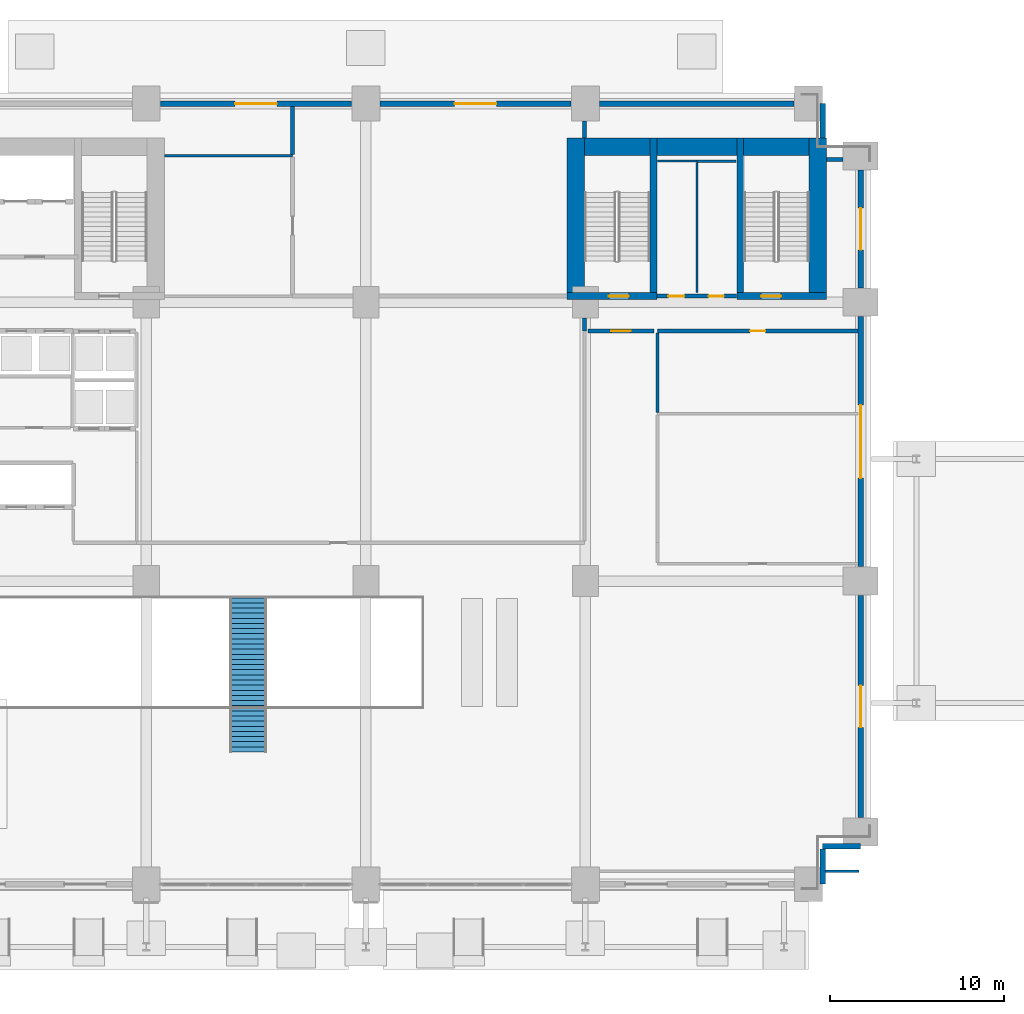
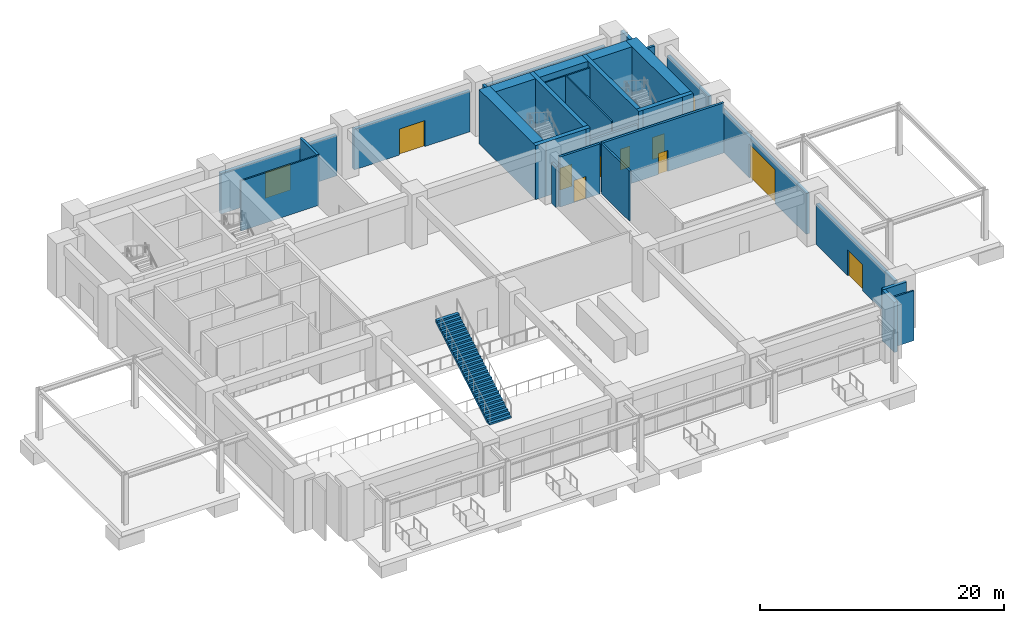
# One storey, part 7 of 14: 29 walls, 11 doors, 1 stair flight, 11 openings, 1 element without a shape of its own.
"""IFC4 building model written with IfcOpenShell, lengths in metres."""

from ifc_helpers import new_model, si_unit, direction, frame, frame_2d, origin, place, context, subcontext, project, spatial, polyline, rectangle, outline, extrude, material, layer, layer_set, type_object, element, fill, aggregate, save


model = new_model("IFC4")

# Units and contexts
model_context = context("Model", 3, precision=1e-05, world=origin(), true_north=direction((0.0, 1.0)))
body_context = subcontext(model_context, "Body", "Model", "MODEL_VIEW")
ifc_project = project(units=[si_unit("LENGTHUNIT", "METRE"), si_unit("AREAUNIT", "SQUARE_METRE"), si_unit("VOLUMEUNIT", "CUBIC_METRE"), si_unit("PLANEANGLEUNIT", "RADIAN"), si_unit("MASSUNIT", "GRAM", prefix="KILO")], contexts=[model_context])

# Site, building, storey
site_placement = place(None, origin())
site = spatial("IfcSite", under=ifc_project, at=site_placement, CompositionType="ELEMENT")
building_placement = place(site_placement, origin())
building = spatial("IfcBuilding", under=site, at=building_placement, Name="Sulina Concourse Tower", CompositionType="ELEMENT")
storey_placement = place(building_placement, origin())
storey = spatial("IfcBuildingStorey", under=building, at=storey_placement, Name="L00", CompositionType="ELEMENT", Elevation=0.0)

# Wall, opening, door
ifc_material_1 = material(Name="Gypsum board on steel stud", Category="steel")
ifc_layer_1 = layer(ifc_material_1, 0.219970703125)
ifc_layer_set_1 = layer_set([ifc_layer_1], Name="Gypsum board on steel stud")
wall_type_1 = type_object("IfcWallType", Name="Fire-Rated Lobby & Compartment Wall 220mm", PredefinedType="PARTITIONING", material=ifc_layer_set_1)
wall_1_placement = place(storey_placement, frame((41.75, 32.35009765625, 0.0), z_axis=(0.0, 0.0, 1.0), x_axis=(1.0, 0.0, 0.0)))
wall_1 = element("IfcWall", 1, at=wall_1_placement, inside=storey, type_object=wall_type_1, Name="L00 exit passage fire wall EXPE", PredefinedType="PARTITIONING", context=body_context, shape_type="SweptSolid", body=[
    extrude(rectangle(XDim=3.800048828125, YDim=0.219970703125, at=frame_2d((1.89990234375, 0.0))), origin(), (0.0, 0.0, 1.0), 5.0),
])
opening_1_placement = place(wall_1_placement, frame((1.35009765625, 0.0, 0.0)))
opening_1 = element("IfcOpeningElement", 2, at=opening_1_placement, cuts=wall_1, Name="Opening DR-47", PredefinedType="OPENING", context=body_context, shape_type="SweptSolid", body=[
    extrude(rectangle(XDim=1.10009765625, YDim=2.199951171875, at=frame_2d((0.550048828125, 1.10009765625))), frame((0.0, 0.119873046875, 0.0), z_axis=(0.0, -1.0, 0.0), x_axis=(1.0, 0.0, 0.0)), (0.0, 0.0, 1.0), 0.239990234375),
])
ifc_material_2 = material(Name="Galvanised steel acoustic fire leaf", Category="steel")
ifc_layer_2 = layer(ifc_material_2, 0.054931640625)
ifc_layer_set_2 = layer_set([ifc_layer_2], Name="Galvanised steel acoustic fire leaf")
door_type_1 = type_object("IfcDoorType", Name="Firefighting Lobby Fire Door 1100x2200", OperationType="NOTDEFINED", PredefinedType="DOOR", material=ifc_layer_set_2)
door_1_placement = place(opening_1_placement, origin())
door_1 = element("IfcDoor", 3, at=door_1_placement, inside=storey, type_object=door_type_1, Name="L00 exit passage fire door EXPE", OperationType="SINGLE_SWING_RIGHT", OverallHeight=2.199951171875, OverallWidth=1.10009765625, PredefinedType="DOOR", context=body_context, shape_type="SweptSolid", body=[
    extrude(rectangle(XDim=1.10009765625, YDim=2.199951171875, at=frame_2d((0.550048828125, 1.10009765625))), frame((0.0, 0.02490234375, 0.0), z_axis=(0.0, -1.0, 0.0), x_axis=(1.0, 0.0, 0.0)), (0.0, 0.0, 1.0), 0.050048828125),
])
fill(opening_1, door_1)

# Wall, openings, doors
wall_2_placement = place(storey_placement, frame((45.719970703125, 34.35009765625, 0.0), z_axis=(0.0, 0.0, 1.0), x_axis=(1.0, 0.0, 0.0)))
wall_2 = element("IfcWall", 4, at=wall_2_placement, inside=storey, type_object=wall_type_1, Name="L00 east core south lobby wall", PredefinedType="PARTITIONING", context=body_context, shape_type="SweptSolid", body=[
    extrude(rectangle(XDim=4.56005859375, YDim=0.219970703125, at=frame_2d((2.280029296875, 0.0))), origin(), (0.0, 0.0, 1.0), 4.044921875),
])
opening_2_placement = place(wall_2_placement, frame((0.64990234375, 0.0, 0.0)))
opening_2 = element("IfcOpeningElement", 5, at=opening_2_placement, cuts=wall_2, Name="Opening DR-61", PredefinedType="OPENING", context=body_context, shape_type="SweptSolid", body=[
    extrude(rectangle(XDim=0.919921875, YDim=2.10009765625, at=frame_2d((0.4599609375, 1.050048828125))), frame((0.0, 0.119873046875, 0.0), z_axis=(0.0, -1.0, 0.0), x_axis=(1.0, 0.0, 0.0)), (0.0, 0.0, 1.0), 0.239990234375),
])
opening_3_placement = place(wall_2_placement, frame((2.949951171875, 0.0, 0.0)))
opening_3 = element("IfcOpeningElement", 6, at=opening_3_placement, cuts=wall_2, Name="Opening DR-38", PredefinedType="OPENING", context=body_context, shape_type="SweptSolid", body=[
    extrude(rectangle(XDim=0.8798828125, YDim=2.10009765625, at=frame_2d((0.43994140625, 1.050048828125))), frame((0.0, 0.119873046875, 0.0), z_axis=(0.0, -1.0, 0.0), x_axis=(1.0, 0.0, 0.0)), (0.0, 0.0, 1.0), 0.239990234375),
])
ifc_material_3 = material(Name="Oak-veneered fire door leaf")
ifc_layer_3 = layer(ifc_material_3, 0.050048828125)
ifc_layer_set_3 = layer_set([ifc_layer_3], Name="Oak-veneered fire door leaf")
door_type_2 = type_object("IfcDoorType", Name="Accessible WC Door 920x2100", OperationType="NOTDEFINED", PredefinedType="DOOR", material=ifc_layer_set_3)
door_2_placement = place(opening_2_placement, origin())
door_2 = element("IfcDoor", 7, at=door_2_placement, inside=storey, type_object=door_type_2, Name="L00 east core accessible wc door", OperationType="SINGLE_SWING_LEFT", OverallHeight=2.10009765625, OverallWidth=0.919921875, PredefinedType="DOOR", context=body_context, shape_type="SweptSolid", body=[
    extrude(rectangle(XDim=0.919921875, YDim=2.10009765625, at=frame_2d((0.4599609375, 1.050048828125))), frame((0.0, 0.02490234375, 0.0), z_axis=(0.0, -1.0, 0.0), x_axis=(1.0, 0.0, 0.0)), (0.0, 0.0, 1.0), 0.050048828125),
])
fill(opening_2, door_2)
ifc_material_4 = material(Name="Galvanised steel acoustic fire leaf", Category="steel")
ifc_layer_4 = layer(ifc_material_4, 0.050048828125)
ifc_layer_set_4 = layer_set([ifc_layer_4], Name="Galvanised steel acoustic fire leaf")
door_type_3 = type_object("IfcDoorType", Name="Service Riser Fire Door 880x2100", OperationType="NOTDEFINED", PredefinedType="DOOR", material=ifc_layer_set_4)
door_3_placement = place(opening_3_placement, origin())
door_3 = element("IfcDoor", 8, at=door_3_placement, inside=storey, type_object=door_type_3, Name="L00 east core store door", OperationType="SINGLE_SWING_RIGHT", OverallHeight=2.10009765625, OverallWidth=0.8798828125, PredefinedType="DOOR", context=body_context, shape_type="SweptSolid", body=[
    extrude(rectangle(XDim=0.8798828125, YDim=2.10009765625, at=frame_2d((0.43994140625, 1.050048828125))), frame((0.0, 0.02490234375, 0.0), z_axis=(0.0, -1.0, 0.0), x_axis=(1.0, 0.0, 0.0)), (0.0, 0.0, 1.0), 0.050048828125),
])
fill(opening_3, door_3)

# Wall, opening, door
wall_3_placement = place(storey_placement, frame((45.75, 32.35009765625, 0.0), z_axis=(0.0, 0.0, 1.0), x_axis=(1.0, 0.0, 0.0)))
wall_3 = element("IfcWall", 9, at=wall_3_placement, inside=storey, type_object=wall_type_1, Name="L00 interior partition 008", PredefinedType="PARTITIONING", context=body_context, shape_type="SweptSolid", body=[
    extrude(rectangle(XDim=11.489990234375, YDim=0.219970703125, at=frame_2d((5.7451171875, 0.0))), origin(), (0.0, 0.0, 1.0), 5.0),
])
opening_4_placement = place(wall_3_placement, frame((5.304931640625, 0.0, 0.0)))
opening_4 = element("IfcOpeningElement", 10, at=opening_4_placement, cuts=wall_3, Name="Opening DR-38", PredefinedType="OPENING", context=body_context, shape_type="SweptSolid", body=[
    extrude(rectangle(XDim=0.8798828125, YDim=2.10009765625, at=frame_2d((0.43994140625, 1.050048828125))), frame((0.0, 0.119873046875, 0.0), z_axis=(0.0, -1.0, 0.0), x_axis=(1.0, 0.0, 0.0)), (0.0, 0.0, 1.0), 0.239990234375),
])
door_4_placement = place(opening_4_placement, origin())
door_4 = element("IfcDoor", 11, at=door_4_placement, inside=storey, type_object=door_type_3, Name="L00 interior door L00-DOCK-01", OperationType="SINGLE_SWING_RIGHT", OverallHeight=2.10009765625, OverallWidth=0.8798828125, PredefinedType="DOOR", context=body_context, shape_type="SweptSolid", body=[
    extrude(rectangle(XDim=0.8798828125, YDim=2.10009765625, at=frame_2d((0.43994140625, 1.050048828125))), frame((0.0, 0.02490234375, 0.0), z_axis=(0.0, -1.0, 0.0), x_axis=(1.0, 0.0, 0.0)), (0.0, 0.0, 1.0), 0.050048828125),
])
fill(opening_4, door_4)

# Walls
wall_4_placement = place(storey_placement, frame((55.449951171875, 42.199951171875, 0.0), z_axis=(0.0, 0.0, 1.0), x_axis=(1.0, 0.0, 0.0)))
element("IfcWall", 12, at=wall_4_placement, inside=storey, type_object=wall_type_1, Name="L00 interior partition 015", PredefinedType="PARTITIONING", context=body_context, shape_type="SweptSolid", body=[
    extrude(rectangle(XDim=0.949951171875, YDim=0.219970703125, at=frame_2d((0.47509765625, 0.0))), origin(), (0.0, 0.0, 1.0), 5.0),
])
wall_5_placement = place(storey_placement, frame((24.800048828125, 42.47509765625, 0.0), z_axis=(0.0, 0.0, 1.0), x_axis=(0.0, 1.0, 0.0)))
element("IfcWall", 13, at=wall_5_placement, inside=storey, type_object=wall_type_1, Name="L00 interior partition 025", PredefinedType="PARTITIONING", context=body_context, shape_type="SweptSolid", body=[
    extrude(rectangle(XDim=2.764892578125, YDim=0.219970703125, at=frame_2d((1.38232421875, 0.0))), origin(), (0.0, 0.0, 1.0), 5.0),
])
wall_6_placement = place(storey_placement, frame((41.550048828125, 32.35009765625, 0.0), z_axis=(0.0, 0.0, 1.0), x_axis=(0.0, 1.0, 0.0)))
element("IfcWall", 14, at=wall_6_placement, inside=storey, type_object=wall_type_1, Name="L00 interior partition 027", PredefinedType="PARTITIONING", context=body_context, shape_type="SweptSolid", body=[
    extrude(rectangle(XDim=0.75, YDim=0.219970703125, at=frame_2d((0.375, 0.0))), origin(), (0.0, 0.0, 1.0), 4.044921875),
])
wall_7_placement = place(storey_placement, frame((41.550048828125, 43.429931640625, 0.0), z_axis=(0.0, 0.0, 1.0), x_axis=(0.0, 1.0, 0.0)))
element("IfcWall", 15, at=wall_7_placement, inside=storey, type_object=wall_type_1, Name="L00 interior partition 028", PredefinedType="PARTITIONING", context=body_context, shape_type="SweptSolid", body=[
    extrude(rectangle(XDim=0.969970703125, YDim=0.219970703125, at=frame_2d((0.48486328125, 0.0))), origin(), (0.0, 0.0, 1.0), 5.0),
])
ifc_material_5 = material(Name="Gypsum board on steel stud", Category="steel")
ifc_layer_5 = layer(ifc_material_5, 0.14990234375)
ifc_layer_set_5 = layer_set([ifc_layer_5], Name="Gypsum board on steel stud")
wall_type_2 = type_object("IfcWallType", Name="Inter-Tenancy Acoustic Partition 150mm", PredefinedType="PARTITIONING", material=ifc_layer_set_5)
wall_8_placement = place(storey_placement, frame((55.3798828125, 1.35009765625, 0.0), z_axis=(0.0, 0.0, 1.0), x_axis=(1.0, 0.0, 0.0)))
element("IfcWall", 16, at=wall_8_placement, inside=storey, type_object=wall_type_2, Name="L00 interior partition 002", PredefinedType="PARTITIONING", context=body_context, shape_type="SweptSolid", body=[
    extrude(rectangle(XDim=1.920166015625, YDim=0.14990234375, at=frame_2d((0.9599609375, 0.0))), origin(), (0.0, 0.0, 1.0), 5.0),
])
wall_9_placement = place(storey_placement, frame((48.0, 42.10009765625, 0.0), z_axis=(0.0, 0.0, 1.0), x_axis=(1.0, 0.0, 0.0)))
element("IfcWall", 17, at=wall_9_placement, inside=storey, type_object=wall_type_2, Name="L00 interior partition 013", PredefinedType="PARTITIONING", context=body_context, shape_type="SweptSolid", body=[
    extrude(rectangle(XDim=2.25, YDim=0.14990234375, at=frame_2d((1.125, 0.0))), origin(), (0.0, 0.0, 1.0), 5.0),
])
wall_10_placement = place(storey_placement, frame((17.449951171875, 42.39990234375, 0.0), z_axis=(0.0, 0.0, 1.0), x_axis=(1.0, 0.0, 0.0)))
element("IfcWall", 18, at=wall_10_placement, inside=storey, type_object=wall_type_2, Name="L00 interior partition 016", PredefinedType="PARTITIONING", context=body_context, shape_type="SweptSolid", body=[
    extrude(rectangle(XDim=7.35009765625, YDim=0.14990234375, at=frame_2d((3.675048828125, 0.0))), origin(), (0.0, 0.0, 1.0), 5.0),
])

# Wall, opening, door
ifc_material_6 = material(Name="Precast concrete C50/60", Category="concrete")
ifc_layer_6 = layer(ifc_material_6, 0.320068359375)
ifc_layer_set_6 = layer_set([ifc_layer_6], Name="Precast concrete C50/60")
wall_type_3 = type_object("IfcWallType", Name="Lower Precast Masonry-Frame Facade Wall 320mm", PredefinedType="SOLIDWALL", material=ifc_layer_set_6)
wall_11_placement = place(storey_placement, frame((17.219970703125, 45.39990234375, 0.0), z_axis=(0.0, 0.0, 1.0), x_axis=(1.0, 0.0, 0.0)))
wall_11 = element("IfcWall", 19, at=wall_11_placement, inside=storey, type_object=wall_type_3, Name="L00 exterior precast wall N2", PredefinedType="SOLIDWALL", context=body_context, shape_type="SweptSolid", body=[
    extrude(rectangle(XDim=10.9599609375, YDim=0.320068359375, at=frame_2d((5.47998046875, 0.0))), origin(), (0.0, 0.0, 1.0), 4.050048828125),
])
opening_5_placement = place(wall_11_placement, frame((4.280029296875, 0.0, 0.0)))
opening_5 = element("IfcOpeningElement", 20, at=opening_5_placement, cuts=wall_11, Name="Opening DR-71", PredefinedType="OPENING", context=body_context, shape_type="SweptSolid", body=[
    extrude(rectangle(XDim=2.39990234375, YDim=2.60009765625, at=frame_2d((1.199951171875, 1.300048828125))), frame((0.0, 0.169921875, 0.0), z_axis=(0.0, -1.0, 0.0), x_axis=(1.0, 0.0, 0.0)), (0.0, 0.0, 1.0), 0.340087890625),
])
ifc_material_7 = material(Name="Anodised bronze aluminium and glazed leaf", Category="aluminium")
ifc_layer_7 = layer(ifc_material_7, 0.06005859375)
ifc_layer_set_7 = layer_set([ifc_layer_7], Name="Anodised bronze aluminium and glazed leaf")
door_type_4 = type_object("IfcDoorType", Name="Station Concourse Entrance Door 2400x2600", OperationType="DOUBLE_DOOR_SINGLE_SWING", PredefinedType="DOOR", material=ifc_layer_set_7)
door_5_placement = place(opening_5_placement, origin())
door_5 = element("IfcDoor", 21, at=door_5_placement, inside=storey, type_object=door_type_4, Name="L00 exterior door ED-03", OperationType="DOUBLE_DOOR_SINGLE_SWING", OverallHeight=2.60009765625, OverallWidth=2.39990234375, PredefinedType="DOOR", context=body_context, shape_type="SweptSolid", body=[
    extrude(rectangle(XDim=2.39990234375, YDim=2.60009765625, at=frame_2d((1.199951171875, 1.300048828125))), frame((0.0, 0.02490234375, 0.0), z_axis=(0.0, -1.0, 0.0), x_axis=(1.0, 0.0, 0.0)), (0.0, 0.0, 1.0), 0.050048828125),
])
fill(opening_5, door_5)

wall_12_placement = place(storey_placement, frame((29.820068359375, 45.39990234375, 0.0), z_axis=(0.0, 0.0, 1.0), x_axis=(1.0, 0.0, 0.0)))
wall_12 = element("IfcWall", 22, at=wall_12_placement, inside=storey, type_object=wall_type_3, Name="L00 exterior precast wall N3", PredefinedType="SOLIDWALL", context=body_context, shape_type="SweptSolid", body=[
    extrude(rectangle(XDim=10.9599609375, YDim=0.320068359375, at=frame_2d((5.47998046875, 0.0))), origin(), (0.0, 0.0, 1.0), 4.050048828125),
])
opening_6_placement = place(wall_12_placement, frame((4.280029296875, 0.0, 0.0)))
opening_6 = element("IfcOpeningElement", 23, at=opening_6_placement, cuts=wall_12, Name="Opening DR-71", PredefinedType="OPENING", context=body_context, shape_type="SweptSolid", body=[
    extrude(rectangle(XDim=2.39990234375, YDim=2.60009765625, at=frame_2d((1.199951171875, 1.300048828125))), frame((0.0, 0.169921875, 0.0), z_axis=(0.0, -1.0, 0.0), x_axis=(1.0, 0.0, 0.0)), (0.0, 0.0, 1.0), 0.340087890625),
])
door_6_placement = place(opening_6_placement, origin())
door_6 = element("IfcDoor", 24, at=door_6_placement, inside=storey, type_object=door_type_4, Name="L00 exterior door ED-04", OperationType="DOUBLE_DOOR_SINGLE_SWING", OverallHeight=2.60009765625, OverallWidth=2.39990234375, PredefinedType="DOOR", context=body_context, shape_type="SweptSolid", body=[
    extrude(rectangle(XDim=2.39990234375, YDim=2.60009765625, at=frame_2d((1.199951171875, 1.300048828125))), frame((0.0, 0.02490234375, 0.0), z_axis=(0.0, -1.0, 0.0), x_axis=(1.0, 0.0, 0.0)), (0.0, 0.0, 1.0), 0.050048828125),
])
fill(opening_6, door_6)

# Wall
wall_13_placement = place(storey_placement, frame((42.419921875, 45.39990234375, 0.0), z_axis=(0.0, 0.0, 1.0), x_axis=(1.0, 0.0, 0.0)))
element("IfcWall", 25, at=wall_13_placement, inside=storey, type_object=wall_type_3, Name="L00 exterior precast wall N4", PredefinedType="SOLIDWALL", context=body_context, shape_type="SweptSolid", body=[
    extrude(rectangle(XDim=11.16015625, YDim=0.320068359375, at=frame_2d((5.580078125, 0.0))), origin(), (0.0, 0.0, 1.0), 4.050048828125),
])

# Wall, opening, door
wall_14_placement = place(storey_placement, frame((57.39990234375, 17.179931640625, 0.0), z_axis=(0.0, 0.0, 1.0), x_axis=(0.0, -1.0, 0.0)))
wall_14 = element("IfcWall", 26, at=wall_14_placement, inside=storey, type_object=wall_type_3, Name="L00 exterior precast wall E1", PredefinedType="SOLIDWALL", context=body_context, shape_type="SweptSolid", body=[
    extrude(rectangle(XDim=12.760009765625, YDim=0.320068359375, at=frame_2d((6.3798828125, 0.0))), origin(), (0.0, 0.0, 1.0), 4.050048828125),
])
opening_7_placement = place(wall_14_placement, frame((5.179931640625, 0.0, 0.0)))
opening_7 = element("IfcOpeningElement", 27, at=opening_7_placement, cuts=wall_14, Name="Opening DR-71", PredefinedType="OPENING", context=body_context, shape_type="SweptSolid", body=[
    extrude(rectangle(XDim=2.39990234375, YDim=2.60009765625, at=frame_2d((1.199951171875, 1.300048828125))), frame((0.0, 0.169921875, 0.0), z_axis=(0.0, -1.0, 0.0), x_axis=(1.0, 0.0, 0.0)), (0.0, 0.0, 1.0), 0.340087890625),
])
door_7_placement = place(opening_7_placement, origin())
door_7 = element("IfcDoor", 28, at=door_7_placement, inside=storey, type_object=door_type_4, Name="L00 exterior door ED-07", OperationType="DOUBLE_DOOR_SINGLE_SWING", OverallHeight=2.60009765625, OverallWidth=2.39990234375, PredefinedType="DOOR", context=body_context, shape_type="SweptSolid", body=[
    extrude(rectangle(XDim=2.39990234375, YDim=2.60009765625, at=frame_2d((1.199951171875, 1.300048828125))), frame((0.0, 0.02490234375, 0.0), z_axis=(0.0, -1.0, 0.0), x_axis=(1.0, 0.0, 0.0)), (0.0, 0.0, 1.0), 0.050048828125),
])
fill(opening_7, door_7)

wall_15_placement = place(storey_placement, frame((57.39990234375, 33.179931640625, 0.0), z_axis=(0.0, 0.0, 1.0), x_axis=(0.0, -1.0, 0.0)))
wall_15 = element("IfcWall", 29, at=wall_15_placement, inside=storey, type_object=wall_type_3, Name="L00 exterior precast wall E2", PredefinedType="SOLIDWALL", context=body_context, shape_type="SweptSolid", body=[
    extrude(rectangle(XDim=14.35986328125, YDim=0.320068359375, at=frame_2d((7.179931640625, 0.0))), origin(), (0.0, 0.0, 1.0), 4.050048828125),
])
opening_8_placement = place(wall_15_placement, frame((5.080078125, 0.0, 0.0)))
opening_8 = element("IfcOpeningElement", 30, at=opening_8_placement, cuts=wall_15, Name="Opening VG-02", PredefinedType="OPENING", context=body_context, shape_type="SweptSolid", body=[
    extrude(rectangle(XDim=4.199951171875, YDim=3.39990234375, at=frame_2d((2.10009765625, 1.699951171875))), frame((0.0, 0.169921875, 0.0), z_axis=(0.0, -1.0, 0.0), x_axis=(1.0, 0.0, 0.0)), (0.0, 0.0, 1.0), 0.340087890625),
])
ifc_material_8 = material(Name="Galvanised steel roller shutter", Category="steel")
ifc_layer_8 = layer(ifc_material_8, 0.06005859375)
ifc_layer_set_8 = layer_set([ifc_layer_8], Name="Galvanised steel roller shutter")
door_type_5 = type_object("IfcDoorType", Name="Service Loading Bay Roller Shutter 4200x3400", OperationType="ROLLINGUP", PredefinedType="GATE", material=ifc_layer_set_8)
door_8_placement = place(opening_8_placement, origin())
door_8 = element("IfcDoor", 31, at=door_8_placement, inside=storey, type_object=door_type_5, Name="L00 exterior door RD-01", OperationType="ROLLINGUP", OverallHeight=3.39990234375, OverallWidth=4.199951171875, PredefinedType="GATE", context=body_context, shape_type="SweptSolid", body=[
    extrude(rectangle(XDim=4.199951171875, YDim=3.39990234375, at=frame_2d((2.10009765625, 1.699951171875))), frame((0.0, 0.02490234375, 0.0), z_axis=(0.0, -1.0, 0.0), x_axis=(1.0, 0.0, 0.0)), (0.0, 0.0, 1.0), 0.050048828125),
])
fill(opening_8, door_8)

wall_16_placement = place(storey_placement, frame((57.39990234375, 41.580078125, 0.0), z_axis=(0.0, 0.0, 1.0), x_axis=(0.0, -1.0, 0.0)))
wall_16 = element("IfcWall", 32, at=wall_16_placement, inside=storey, type_object=wall_type_3, Name="L00 exterior precast wall E3", PredefinedType="SOLIDWALL", context=body_context, shape_type="SweptSolid", body=[
    extrude(rectangle(XDim=6.760009765625, YDim=0.320068359375, at=frame_2d((3.3798828125, 0.0))), origin(), (0.0, 0.0, 1.0), 4.050048828125),
])
opening_9_placement = place(wall_16_placement, frame((2.179931640625, 0.0, 0.0)))
opening_9 = element("IfcOpeningElement", 33, at=opening_9_placement, cuts=wall_16, Name="Opening DR-71", PredefinedType="OPENING", context=body_context, shape_type="SweptSolid", body=[
    extrude(rectangle(XDim=2.39990234375, YDim=2.60009765625, at=frame_2d((1.199951171875, 1.300048828125))), frame((0.0, 0.169921875, 0.0), z_axis=(0.0, -1.0, 0.0), x_axis=(1.0, 0.0, 0.0)), (0.0, 0.0, 1.0), 0.340087890625),
])
door_9_placement = place(opening_9_placement, origin())
door_9 = element("IfcDoor", 34, at=door_9_placement, inside=storey, type_object=door_type_4, Name="L00 exterior door ED-09", OperationType="DOUBLE_DOOR_SINGLE_SWING", OverallHeight=2.60009765625, OverallWidth=2.39990234375, PredefinedType="DOOR", context=body_context, shape_type="SweptSolid", body=[
    extrude(rectangle(XDim=2.39990234375, YDim=2.60009765625, at=frame_2d((1.199951171875, 1.300048828125))), frame((0.0, 0.02490234375, 0.0), z_axis=(0.0, -1.0, 0.0), x_axis=(1.0, 0.0, 0.0)), (0.0, 0.0, 1.0), 0.050048828125),
])
fill(opening_9, door_9)

# Walls
wall_17_placement = place(storey_placement, frame((55.219970703125, 45.39990234375, 0.0), z_axis=(0.0, 0.0, 1.0), x_axis=(0.0, -1.0, 0.0)))
element("IfcWall", 35, at=wall_17_placement, inside=storey, type_object=wall_type_3, Name="L00 exterior precast wall CNE1", PredefinedType="SOLIDWALL", context=body_context, shape_type="SweptSolid", body=[
    extrude(rectangle(XDim=1.96484375, YDim=0.320068359375, at=frame_2d((0.982421875, 0.0))), origin(), (0.0, 0.0, 1.0), 5.0),
])
wall_18_placement = place(storey_placement, frame((57.39990234375, 2.780029296875, 0.0), z_axis=(0.0, 0.0, 1.0), x_axis=(-1.0, 0.0, 0.0)))
element("IfcWall", 36, at=wall_18_placement, inside=storey, type_object=wall_type_3, Name="L00 exterior precast wall CSE1", PredefinedType="SOLIDWALL", context=body_context, shape_type="SweptSolid", body=[
    extrude(rectangle(XDim=2.179931640625, YDim=0.320068359375, at=frame_2d((1.08984375, 0.0))), origin(), (0.0, 0.0, 1.0), 5.0),
])
wall_19_placement = place(storey_placement, frame((55.219970703125, 2.614990234375, 0.0), z_axis=(0.0, 0.0, 1.0), x_axis=(0.0, -1.0, 0.0)))
element("IfcWall", 37, at=wall_19_placement, inside=storey, type_object=wall_type_3, Name="L00 exterior precast wall CSE2", PredefinedType="SOLIDWALL", context=body_context, shape_type="SweptSolid", body=[
    extrude(rectangle(XDim=2.014892578125, YDim=0.320068359375, at=frame_2d((1.00732421875, 0.0))), origin(), (0.0, 0.0, 1.0), 5.0),
])
ifc_material_9 = material(Name="Gypsum board on steel stud", Category="steel")
ifc_layer_9 = layer(ifc_material_9, 0.179931640625)
ifc_layer_set_9 = layer_set([ifc_layer_9], Name="Gypsum board on steel stud")
wall_type_4 = type_object("IfcWallType", Name="Protected Corridor & Riser Partition 180mm", PredefinedType="PARTITIONING", material=ifc_layer_set_9)
wall_20_placement = place(storey_placement, frame((45.75, 27.675048828125, 0.0), z_axis=(0.0, 0.0, 1.0), x_axis=(0.0, 1.0, 0.0)))
element("IfcWall", 38, at=wall_20_placement, inside=storey, type_object=wall_type_4, Name="L00 interior partition 031", PredefinedType="PARTITIONING", context=body_context, shape_type="SweptSolid", body=[
    extrude(rectangle(XDim=4.56494140625, YDim=0.179931640625, at=frame_2d((2.282470703125, 0.0))), origin(), (0.0, 0.0, 1.0), 5.0),
])

# Wall, opening, door
ifc_material_10 = material(Name="Concrete C60/75", Category="concrete")
ifc_layer_10 = layer(ifc_material_10, 0.39990234375)
ifc_layer_set_10 = layer_set([ifc_layer_10], Name="Concrete C60/75")
wall_type_5 = type_object("IfcWallType", Name="Protected Stair Core Shear Wall 400mm", PredefinedType="SHEAR", material=ifc_layer_set_10)
wall_21_placement = place(storey_placement, frame((40.550048828125, 34.35009765625, 0.0), z_axis=(0.0, 0.0, 1.0), x_axis=(1.0, 0.0, 0.0)))
wall_21 = element("IfcWall", 39, at=wall_21_placement, inside=storey, type_object=wall_type_5, Name="L00 east core shear wall CW-ES1", PredefinedType="SHEAR", context=body_context, shape_type="SweptSolid", body=[
    extrude(rectangle(XDim=5.159912109375, YDim=0.39990234375, at=frame_2d((2.580078125, 0.0))), origin(), (0.0, 0.0, 1.0), 5.39990234375),
])
opening_10_placement = place(wall_21_placement, frame((2.39990234375, 0.0, 0.0)))
opening_10 = element("IfcOpeningElement", 40, at=opening_10_placement, cuts=wall_21, Name="Opening DR-60", PredefinedType="OPENING", context=body_context, shape_type="SweptSolid", body=[
    extrude(rectangle(XDim=1.14990234375, YDim=2.199951171875, at=frame_2d((0.574951171875, 1.10009765625))), frame((0.0, 0.2099609375, 0.0), z_axis=(0.0, -1.0, 0.0), x_axis=(1.0, 0.0, 0.0)), (0.0, 0.0, 1.0), 0.419921875),
])
ifc_material_11 = material(Name="Galvanised steel acoustic fire leaf", Category="steel")
ifc_layer_11 = layer(ifc_material_11, 0.054931640625)
ifc_layer_set_11 = layer_set([ifc_layer_11], Name="Galvanised steel acoustic fire leaf")
door_type_6 = type_object("IfcDoorType", Name="Protected Exit Stair Fire Door 1150x2200", OperationType="NOTDEFINED", PredefinedType="DOOR", material=ifc_layer_set_11)
door_10_placement = place(opening_10_placement, origin())
door_10 = element("IfcDoor", 41, at=door_10_placement, inside=storey, type_object=door_type_6, Name="L00 stair ST-3 south lobby fire door", OperationType="SINGLE_SWING_RIGHT", OverallHeight=2.199951171875, OverallWidth=1.14990234375, PredefinedType="DOOR", context=body_context, shape_type="SweptSolid", body=[
    extrude(rectangle(XDim=1.14990234375, YDim=2.199951171875, at=frame_2d((0.574951171875, 1.10009765625))), frame((0.0, 0.02490234375, 0.0), z_axis=(0.0, -1.0, 0.0), x_axis=(1.0, 0.0, 0.0)), (0.0, 0.0, 1.0), 0.050048828125),
])
fill(opening_10, door_10)

# Wall
wall_22_placement = place(storey_placement, frame((45.510009765625, 34.14990234375, 0.0), z_axis=(0.0, 0.0, 1.0), x_axis=(0.0, 1.0, 0.0)))
element("IfcWall", 42, at=wall_22_placement, inside=storey, type_object=wall_type_5, Name="L00 east core shear wall SW-ST3", PredefinedType="SHEAR", context=body_context, shape_type="SweptSolid", body=[
    extrude(rectangle(XDim=9.280029296875, YDim=0.39990234375, at=frame_2d((4.64013671875, 0.0))), origin(), (0.0, 0.0, 1.0), 5.39990234375),
])

# Wall, opening, door
wall_23_placement = place(storey_placement, frame((50.2900390625, 34.35009765625, 0.0), z_axis=(0.0, 0.0, 1.0), x_axis=(1.0, 0.0, 0.0)))
wall_23 = element("IfcWall", 43, at=wall_23_placement, inside=storey, type_object=wall_type_5, Name="L00 east core shear wall CW-ES2", PredefinedType="SHEAR", context=body_context, shape_type="SweptSolid", body=[
    extrude(rectangle(XDim=5.159912109375, YDim=0.39990234375, at=frame_2d((2.580078125, 0.0))), origin(), (0.0, 0.0, 1.0), 5.39990234375),
])
opening_11_placement = place(wall_23_placement, frame((1.39990234375, 0.0, 0.0)))
opening_11 = element("IfcOpeningElement", 44, at=opening_11_placement, cuts=wall_23, Name="Opening DR-60", PredefinedType="OPENING", context=body_context, shape_type="SweptSolid", body=[
    extrude(rectangle(XDim=1.14990234375, YDim=2.199951171875, at=frame_2d((0.574951171875, 1.10009765625))), frame((0.0, 0.2099609375, 0.0), z_axis=(0.0, -1.0, 0.0), x_axis=(1.0, 0.0, 0.0)), (0.0, 0.0, 1.0), 0.419921875),
])
door_11_placement = place(opening_11_placement, origin())
door_11 = element("IfcDoor", 45, at=door_11_placement, inside=storey, type_object=door_type_6, Name="L00 stair ST-4 south lobby fire door", OperationType="SINGLE_SWING_LEFT", OverallHeight=2.199951171875, OverallWidth=1.14990234375, PredefinedType="DOOR", context=body_context, shape_type="SweptSolid", body=[
    extrude(rectangle(XDim=1.14990234375, YDim=2.199951171875, at=frame_2d((0.574951171875, 1.10009765625))), frame((0.0, 0.02490234375, 0.0), z_axis=(0.0, -1.0, 0.0), x_axis=(1.0, 0.0, 0.0)), (0.0, 0.0, 1.0), 0.050048828125),
])
fill(opening_11, door_11)

# Walls
wall_24_placement = place(storey_placement, frame((50.489990234375, 34.14990234375, 0.0), z_axis=(0.0, 0.0, 1.0), x_axis=(0.0, 1.0, 0.0)))
element("IfcWall", 46, at=wall_24_placement, inside=storey, type_object=wall_type_5, Name="L00 east core shear wall SW-ST4", PredefinedType="SHEAR", context=body_context, shape_type="SweptSolid", body=[
    extrude(rectangle(XDim=9.280029296875, YDim=0.39990234375, at=frame_2d((4.64013671875, 0.0))), origin(), (0.0, 0.0, 1.0), 5.39990234375),
])
ifc_material_12 = material(Name="Concrete C80/95", Category="concrete")
ifc_layer_12 = layer(ifc_material_12, 1.0)
ifc_layer_set_12 = layer_set([ifc_layer_12], Name="Concrete C80/95")
wall_type_6 = type_object("IfcWallType", Name="Rear Core Shear Wall 1000mm", PredefinedType="SHEAR", material=ifc_layer_set_12)
wall_25_placement = place(storey_placement, frame((40.550048828125, 42.929931640625, 0.0), z_axis=(0.0, 0.0, 1.0), x_axis=(1.0, 0.0, 0.0)))
element("IfcWall", 47, at=wall_25_placement, inside=storey, type_object=wall_type_6, Name="L00 east core shear wall CW-EN", PredefinedType="SHEAR", context=body_context, shape_type="SweptSolid", body=[
    extrude(rectangle(XDim=14.89990234375, YDim=1.0, at=frame_2d((7.449951171875, 0.0))), origin(), (0.0, 0.0, 1.0), 5.39990234375),
])
for number, where, z_axis, x_axis, name in (
    (48, (41.050048828125, 34.14990234375, 0.0), (0.0, 0.0, 1.0), (0.0, 1.0, 0.0), "L00 east core shear wall CW-EW"),
    (49, (54.949951171875, 34.14990234375, 0.0), (0.0, 0.0, 1.0), (0.0, 1.0, 0.0), "L00 east core shear wall CW-EE"),
):
    element("IfcWall", number, at=place(storey_placement, frame(where, z_axis=z_axis, x_axis=x_axis)), inside=storey, type_object=wall_type_6, Name=name, PredefinedType="SHEAR", context=body_context, shape_type="SweptSolid", body=[
        extrude(rectangle(XDim=9.280029296875, YDim=1.0, at=frame_2d((4.64013671875, 0.0))), origin(), (0.0, 0.0, 1.0), 5.39990234375),
    ])
ifc_material_13 = material(Name="Gypsum board on steel stud", Category="steel")
ifc_layer_13 = layer(ifc_material_13, 0.125)
ifc_layer_set_13 = layer_set([ifc_layer_13], Name="Gypsum board on steel stud")
wall_type_7 = type_object("IfcWallType", Name="Wet-Area Moisture-Resistant Partition 125mm", PredefinedType="PARTITIONING", material=ifc_layer_set_13)
wall_26_placement = place(storey_placement, frame((45.75, 42.10009765625, 0.0), z_axis=(0.0, 0.0, 1.0), x_axis=(1.0, 0.0, 0.0)))
element("IfcWall", 50, at=wall_26_placement, inside=storey, type_object=wall_type_7, Name="L00 interior partition 012", PredefinedType="PARTITIONING", context=body_context, shape_type="SweptSolid", body=[
    extrude(rectangle(XDim=2.25, YDim=0.125, at=frame_2d((1.125, 0.0))), origin(), (0.0, 0.0, 1.0), 5.0),
])
wall_27_placement = place(storey_placement, frame((48.0, 34.550048828125, 0.0), z_axis=(0.0, 0.0, 1.0), x_axis=(0.0, 1.0, 0.0)))
element("IfcWall", 51, at=wall_27_placement, inside=storey, type_object=wall_type_7, Name="L00 interior partition 032", PredefinedType="PARTITIONING", context=body_context, shape_type="SweptSolid", body=[
    extrude(rectangle(XDim=7.474853515625, YDim=0.125, at=frame_2d((3.7373046875, 0.0))), origin(), (0.0, 0.0, 1.0), 5.0),
])

# Stair, stair flight
ifc_material_14 = material(Name="Concrete C50/60", Category="concrete")
stair_type = type_object("IfcStairType", Name="Station Concourse Feature Stair 2100mm", PredefinedType="HALF_TURN_STAIR", material=ifc_material_14)
stair_placement = place(storey_placement, origin())
stair = element("IfcStair", 52, at=stair_placement, inside=storey, type_object=stair_type, Name="L00 station concourse feature stair ST-CONC-1", PredefinedType="HALF_TURN_STAIR")
ifc_material_15 = material(Name="Concrete C50/60", Category="concrete")
stair_flight_type = type_object("IfcStairFlightType", Name="Station Concourse Feature Stair 2100mm Flight", PredefinedType="STRAIGHT", material=ifc_material_15)
stair_flight_placement = place(storey_placement, frame((22.25, 8.18994140625, 0.0), z_axis=(0.0, 0.0, 1.0), x_axis=(0.0, 1.0, 0.0)))
stair_flight = element("IfcStairFlight", 53, at=stair_flight_placement, type_object=stair_flight_type, Name="ST-T3 flight 1", NumberOfRisers=31, NumberOfTreads=30, PredefinedType="STRAIGHT", RiserHeight=0.174194, TreadLength=0.295, context=body_context, shape_type="SweptSolid", body=[
    extrude(outline(polyline([(0.0, 0.0), (0.0, 0.174072265625), (0.294921875, 0.174072265625), (0.294921875, 0.348388671875), (0.590087890625, 0.348388671875), (0.590087890625, 0.5224609375), (0.885009765625, 0.5224609375), (0.885009765625, 0.69677734375), (1.179931640625, 0.69677734375), (1.179931640625, 0.870849609375), (1.47509765625, 0.870849609375), (1.47509765625, 1.045166015625), (1.77001953125, 1.045166015625), (1.77001953125, 1.21923828125), (2.06494140625, 1.21923828125), (2.06494140625, 1.3935546875), (2.360107421875, 1.3935546875), (2.360107421875, 1.567626953125), (2.655029296875, 1.567626953125), (2.655029296875, 1.741943359375), (2.949951171875, 1.741943359375), (2.949951171875, 1.916015625), (3.2451171875, 1.916015625), (3.2451171875, 2.09033203125), (3.5400390625, 2.09033203125), (3.5400390625, 2.264404296875), (3.8349609375, 2.264404296875), (3.8349609375, 2.438720703125), (4.1298828125, 2.438720703125), (4.1298828125, 2.61279296875), (4.425048828125, 2.61279296875), (4.425048828125, 2.787109375), (4.719970703125, 2.787109375), (4.719970703125, 2.961181640625), (5.014892578125, 2.961181640625), (5.014892578125, 3.135498046875), (5.31005859375, 3.135498046875), (5.31005859375, 3.3095703125), (5.60498046875, 3.3095703125), (5.60498046875, 3.48388671875), (5.89990234375, 3.48388671875), (5.89990234375, 3.657958984375), (6.195068359375, 3.657958984375), (6.195068359375, 3.832275390625), (6.489990234375, 3.832275390625), (6.489990234375, 4.00634765625), (6.784912109375, 4.00634765625), (6.784912109375, 4.1806640625), (7.080078125, 4.1806640625), (7.080078125, 4.354736328125), (7.375, 4.354736328125), (7.375, 4.529052734375), (7.669921875, 4.529052734375), (7.669921875, 4.703125), (7.965087890625, 4.703125), (7.965087890625, 4.87744140625), (8.260009765625, 4.87744140625), (8.260009765625, 5.051513671875), (8.554931640625, 5.051513671875), (8.554931640625, 5.225830078125), (8.85009765625, 5.225830078125), (8.85009765625, 5.39990234375), (8.85009765625, 4.99365234375), (0.393310546875, 0.0), (0.0, 0.0)])), frame((0.0, 1.050048828125, 0.0), z_axis=(0.0, -1.0, 0.0), x_axis=(1.0, 0.0, 0.0)), (0.0, 0.0, 1.0), 2.10009765625),
])
aggregate(stair, [stair_flight])

save(model, "model.ifc")
